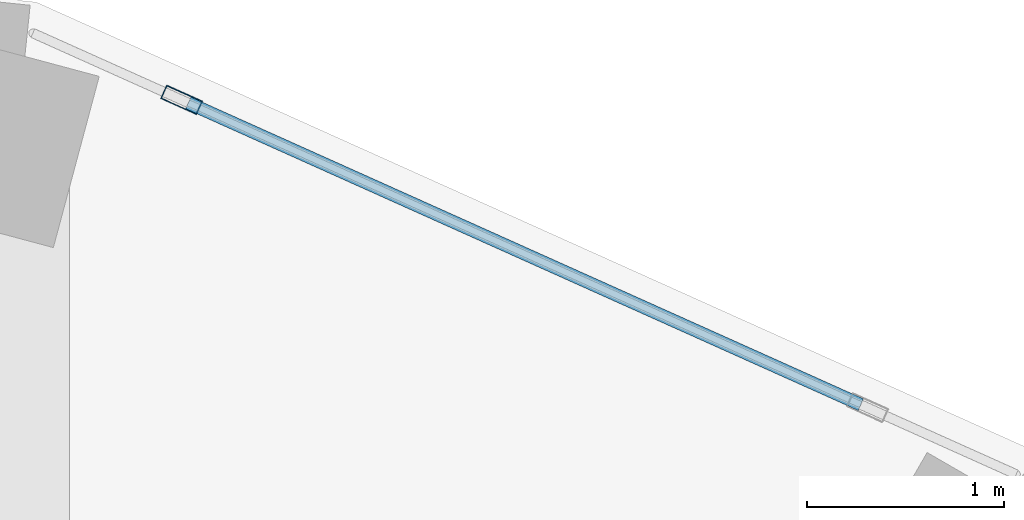
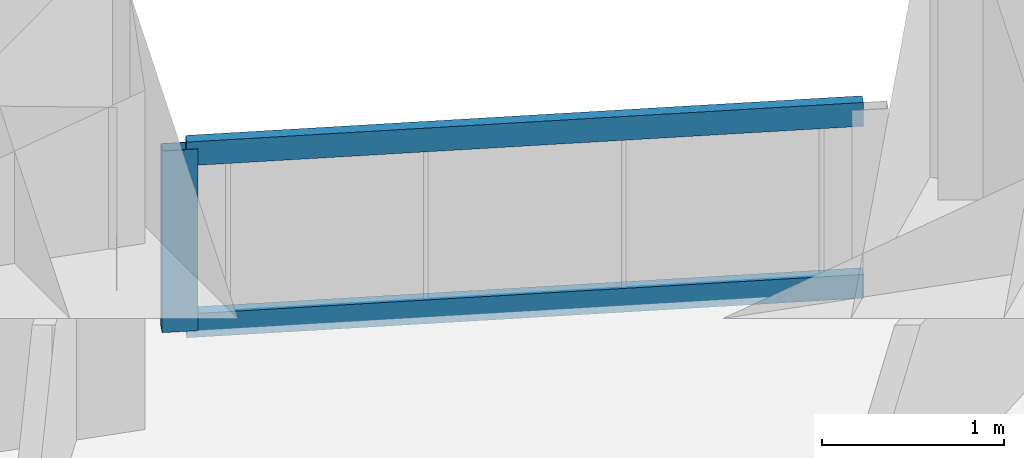
# One storey, part 12 of 20: 3 members, 1 element without a shape of its own.
"""IFC4 building model written with IfcOpenShell, lengths in metres."""

import ifcopenshell
import ifcopenshell.guid

model = None  # the IFC model being written
_history = None  # IfcOwnerHistory: only IFC2X3 demands one
_inside = {}  # id of a spatial element -> (the spatial element, [elements in it])
_under = {}  # id of a project, library or spatial element -> (it, [spatial elements below it])
_declared = {}  # id of a project -> (the project, [libraries it declares])
_typed = {}  # id of a type object -> (the type object, [elements of that type])
_made_of = {}  # id of a material, layer set ... -> (it, [elements and type objects made of it])


def new_model(schema):
    """Start an empty IFC model of exactly this schema.

    Asked for "IFC4X3", IfcOpenShell would pick the latest addendum, in which some entities
    have other attributes; the version numbers below select the first issue.
    IFC2X3 requires an IfcOwnerHistory on every rooted entity: one is made here for all.
    """
    global model, _history
    if schema == "IFC4X3":
        model = ifcopenshell.file(schema_version=(4, 3, 0, 0))
    else:
        model = ifcopenshell.file(schema=schema)
    _inside.clear()
    _under.clear()
    _declared.clear()
    _typed.clear()
    _made_of.clear()
    _history = None
    if model.schema == "IFC2X3":
        org = make("IfcOrganization", Name="unknown")
        user = make(
            "IfcPersonAndOrganization",
            ThePerson=make("IfcPerson", FamilyName="unknown"),
            TheOrganization=org,
        )
        app = make(
            "IfcApplication",
            ApplicationDeveloper=org,
            Version="unknown",
            ApplicationFullName="unknown",
            ApplicationIdentifier="unknown",
        )
        _history = make(
            "IfcOwnerHistory",
            OwningUser=user,
            OwningApplication=app,
            ChangeAction="ADDED",
            CreationDate=0,
        )
    return model


def make(cls, **values):
    """One entity of the class cls with the attributes given. An attribute that is None is left unset."""
    return model.create_entity(
        cls, **{name: value for name, value in values.items() if value is not None}
    )


def rooted(cls, **values):
    """An entity with a GlobalId (a new one), such as an element, a storey or a relation."""
    return make(cls, GlobalId=ifcopenshell.guid.new(), OwnerHistory=_history, **values)


def si_unit(unit_type, name, prefix=None):
    """IfcSIUnit, for example si_unit("LENGTHUNIT", "METRE", prefix="MILLI")."""
    return make("IfcSIUnit", UnitType=unit_type, Prefix=prefix, Name=name)


def assignment(units):
    """IfcUnitAssignment: the units of a project."""
    return None if units is None else make("IfcUnitAssignment", Units=units)


def point(xyz):
    """IfcCartesianPoint."""
    return None if xyz is None else make("IfcCartesianPoint", Coordinates=xyz)


def direction(xyz):
    """IfcDirection."""
    return None if xyz is None else make("IfcDirection", DirectionRatios=xyz)


def frame(location, z_axis=None, x_axis=None):
    """IfcAxis2Placement3D, a coordinate frame: its origin and axes. An axis left out is left unset."""
    return make(
        "IfcAxis2Placement3D",
        Location=point(location),
        Axis=direction(z_axis),
        RefDirection=direction(x_axis),
    )


def frame_2d(location, x_axis=None):
    """IfcAxis2Placement2D, a coordinate frame in the plane: its origin and x axis."""
    return make(
        "IfcAxis2Placement2D", Location=point(location), RefDirection=direction(x_axis)
    )


def origin():
    """The frame at (0, 0, 0) with its axes left unset."""
    return frame((0.0, 0.0, 0.0))


def origin_2d():
    """The frame at (0, 0) in the plane with its x axis left unset."""
    return frame_2d((0.0, 0.0))


def place(relative_to, where):
    """IfcLocalPlacement: puts the frame where relative to a parent placement (None: the world)."""
    return make(
        "IfcLocalPlacement", PlacementRelTo=relative_to, RelativePlacement=where
    )


def context(
    kind, dimensions, precision=None, world=None, true_north=None, identifier=None
):
    """IfcGeometricRepresentationContext, for example the 3D "Model" context."""
    return make(
        "IfcGeometricRepresentationContext",
        ContextIdentifier=identifier,
        ContextType=kind,
        CoordinateSpaceDimension=dimensions,
        Precision=precision,
        WorldCoordinateSystem=world,
        TrueNorth=true_north,
    )


def subcontext(parent, identifier, kind, view, scale=None):
    """IfcGeometricRepresentationSubContext, for example "Body" below "Model"."""
    return make(
        "IfcGeometricRepresentationSubContext",
        ContextIdentifier=identifier,
        ContextType=kind,
        ParentContext=parent,
        TargetScale=scale,
        TargetView=view,
    )


def project(units=None, contexts=None):
    """IfcProject with its units and contexts."""
    return rooted(
        "IfcProject",
        Name="project",
        RepresentationContexts=contexts,
        UnitsInContext=assignment(units),
    )


def spatial(cls, under=None, at=None, **own):
    """A site, building, storey or space (cls), placed at a placement, below another one or the project."""
    s = rooted(cls, ObjectPlacement=at, **own)
    if under is not None:
        _under.setdefault(under.id(), (under, []))[1].append(s)
    return s


def profile(cls, at=None, kind="AREA", **sizes):
    """A parametric profile (cls). Its sizes go by their IFC names, for example OverallWidth=200.0."""
    return make(cls, ProfileType=kind, Position=at, **sizes)


def hollow_rectangle(**sizes):
    """IfcRectangleHollowProfileDef."""
    return profile("IfcRectangleHollowProfileDef", **sizes)


def extrude(swept, where, along, depth):
    """IfcExtrudedAreaSolid: the profile swept, set in the frame where, extruded along a direction by depth."""
    return make(
        "IfcExtrudedAreaSolid",
        SweptArea=swept,
        Position=where,
        ExtrudedDirection=direction(along),
        Depth=depth,
    )


def shape(context_of_items, identifier, shape_type, items):
    """IfcShapeRepresentation: the items that make up one representation, for example the "Body"."""
    return make(
        "IfcShapeRepresentation",
        ContextOfItems=context_of_items,
        RepresentationIdentifier=identifier,
        RepresentationType=shape_type,
        Items=items,
    )


def material(Name=None, Category=None):
    """IfcMaterial."""
    return make("IfcMaterial", Name=Name, Category=Category)


def layer(
    of_material, thickness, ventilated=None, Name=None, Category=None, Priority=None
):
    """IfcMaterialLayer: one layer of a wall or slab, of a material (None: an air gap)."""
    return make(
        "IfcMaterialLayer",
        Material=of_material,
        LayerThickness=thickness,
        IsVentilated=ventilated,
        Name=Name,
        Category=Category,
        Priority=Priority,
    )


def layer_set(layers, Name=None):
    """IfcMaterialLayerSet."""
    return make("IfcMaterialLayerSet", MaterialLayers=layers, LayerSetName=Name)


def material_profile(
    of_material, cross_section, Name=None, Category=None, Priority=None
):
    """IfcMaterialProfile: a cross section and its material."""
    return make(
        "IfcMaterialProfile",
        Name=Name,
        Material=of_material,
        Profile=cross_section,
        Priority=Priority,
        Category=Category,
    )


def profile_set(profiles, Name=None, composite=None):
    """IfcMaterialProfileSet."""
    return make(
        "IfcMaterialProfileSet",
        Name=Name,
        MaterialProfiles=profiles,
        CompositeProfile=composite,
    )


def made_of(thing, what):
    """Note that an element or type object is made of a material, layer set ...; save() writes the relation."""
    if what is not None:
        _made_of.setdefault(what.id(), (what, []))[1].append(thing)
    return thing


def type_object(cls, material=None, **own):
    """A type object (cls), such as IfcWallType, which elements share."""
    return made_of(rooted(cls, **own), material)


def element(
    cls,
    number,
    at=None,
    inside=None,
    cuts=None,
    type_object=None,
    material=None,
    context=None,
    identifier="Body",
    shape_type=None,
    held_by="IfcProductDefinitionShape",
    body=None,
    shapes=None,
    **own,
):
    """One element of the class cls, such as IfcWall. Its Tag is "e" and its number.

    at: its placement. inside: the storey or other place that contains it. cuts: it is an
    opening in that element (IfcRelVoidsElement). A single representation is given by context,
    identifier, shape_type and body (its items); several are given by shapes. held_by: the class
    of the entity that holds the representations. save() writes the other relations.
    """
    e = rooted(cls, Tag="e%d" % number, ObjectPlacement=at, **own)
    if body is not None:
        shapes = [shape(context, identifier, shape_type, body)]
    if shapes is not None:
        e.Representation = make(held_by, Representations=shapes)
    if inside is not None:
        _inside.setdefault(inside.id(), (inside, []))[1].append(e)
    if cuts is not None:
        rooted(
            "IfcRelVoidsElement", RelatingBuildingElement=cuts, RelatedOpeningElement=e
        )
    if type_object is not None:
        _typed.setdefault(type_object.id(), (type_object, []))[1].append(e)
    return made_of(e, material)


def aggregate(whole, parts):
    """IfcRelAggregates: a whole, such as a stair, and the parts it consists of."""
    return rooted("IfcRelAggregates", RelatingObject=whole, RelatedObjects=parts)


def save(model, path):
    """Write the relations noted so far, then the file.

    IfcRelAggregates (storeys below a building ...), IfcRelContainedInSpatialStructure (elements
    in a storey), IfcRelDefinesByType, IfcRelAssociatesMaterial and IfcRelDeclares: one each for
    every whole, place, type object, material and project.
    """
    for whole, parts in _under.values():
        aggregate(whole, parts)
    for where, things in _inside.values():
        rooted(
            "IfcRelContainedInSpatialStructure",
            RelatedElements=things,
            RelatingStructure=where,
        )
    for kind, things in _typed.values():
        rooted("IfcRelDefinesByType", RelatedObjects=things, RelatingType=kind)
    for what, things in _made_of.values():
        rooted("IfcRelAssociatesMaterial", RelatedObjects=things, RelatingMaterial=what)
    for by, libraries in _declared.values():
        rooted("IfcRelDeclares", RelatingContext=by, RelatedDefinitions=libraries)
    model.write(path)


model = new_model("IFC4")

# Units and contexts
model_context = context("Model", 3, precision=1e-05, world=origin(), true_north=direction((0.0, 1.0)))
body_context = subcontext(model_context, "Body", "Model", "MODEL_VIEW")
ifc_project = project(units=[si_unit("LENGTHUNIT", "METRE"), si_unit("AREAUNIT", "SQUARE_METRE"), si_unit("VOLUMEUNIT", "CUBIC_METRE"), si_unit("PLANEANGLEUNIT", "RADIAN"), si_unit("MASSUNIT", "GRAM", prefix="KILO")], contexts=[model_context])

# Site, building, storey
site_placement = place(None, origin())
site = spatial("IfcSite", under=ifc_project, at=site_placement, CompositionType="ELEMENT")
building_placement = place(site_placement, origin())
building = spatial("IfcBuilding", under=site, at=building_placement, Name="Solvane Sanctuary Tower", CompositionType="ELEMENT")
storey_placement = place(building_placement, frame((0.0, 0.0, 159.10009765625)))
storey = spatial("IfcBuildingStorey", under=building, at=storey_placement, Name="L48", CompositionType="ELEMENT", Elevation=159.10009765625)

# Curtain wall, members
ifc_material = material(Name="Anodised Aluminium 6063-T6", Category="aluminium")
ifc_layer = layer(ifc_material, 0.179931640625, Name="Anodised Aluminium 6063-T6")
ifc_layer_set = layer_set([ifc_layer], Name="Anodised Aluminium 6063-T6")
curtain_wall_type = type_object("IfcCurtainWallType", Name="Curtain Wall CW-FRIT-Z2", PredefinedType="NOTDEFINED", material=ifc_layer_set)
curtain_wall_placement = place(storey_placement, origin())
curtain_wall = element("IfcCurtainWall", 1, at=curtain_wall_placement, inside=storey, type_object=curtain_wall_type, Name="L48 CW-FRIT-Z2 Facade Run 04", PredefinedType="NOTDEFINED")
ifc_material_profile_1 = material_profile(ifc_material, hollow_rectangle(XDim=0.074951171875, YDim=0.199951171875, WallThickness=0.00390625, at=origin_2d()), Name="ALU200X75X4")
ifc_profile_set_1 = profile_set([ifc_material_profile_1], Name="Anodised Aluminium 6063-T6")
member_type_1 = type_object("IfcMemberType", Name="Member M-CW-MUL-1 ALU200X75X4", PredefinedType="MULLION", material=ifc_profile_set_1)
member_1_placement = place(storey_placement, frame((40.1474609375, 40.33349609375, 0.0), z_axis=(0.0, 0.0, 1.0), x_axis=(-0.409410643281, -0.912350220676, 0.0)))
member_1 = element("IfcMember", 2, at=member_1_placement, type_object=member_type_1, Name="CW-FRIT-Z2 mullion 2", PredefinedType="MULLION", context=body_context, shape_type="SweptSolid", body=[
    extrude(hollow_rectangle(XDim=0.074951171875, YDim=0.199951171875, WallThickness=0.00390625, at=origin_2d()), origin(), (0.0, 0.0, 1.0), 1.219970703125),
])
ifc_material_profile_2 = material_profile(ifc_material, hollow_rectangle(XDim=0.06494140625, YDim=0.159912109375, WallThickness=0.00341796875, at=origin_2d()), Name="ALU160X65X3.5")
ifc_profile_set_2 = profile_set([ifc_material_profile_2], Name="Anodised Aluminium 6063-T6")
member_type_2 = type_object("IfcMemberType", Name="Member M-CW-TRN-1 ALU160X65X3.5", PredefinedType="USERDEFINED", material=ifc_profile_set_2)
member_2_placement = place(storey_placement, frame((43.5966796875, 38.785888671875, 0.032470703125), z_axis=(-0.912374949437, 0.409355532075, 0.0), x_axis=(-0.409355532075, -0.912374949437, 0.0)))
member_2 = element("IfcMember", 3, at=member_2_placement, type_object=member_type_2, Name="CW-FRIT-Z2 transom 1.1", ObjectType="TRANSOM", PredefinedType="USERDEFINED", context=body_context, shape_type="SweptSolid", body=[
    extrude(hollow_rectangle(XDim=0.06494140625, YDim=0.159912109375, WallThickness=0.00341796875, at=origin_2d()), origin(), (0.0, 0.0, 1.0), 3.742919921875),
])
member_3_placement = place(storey_placement, frame((43.5966796875, 38.785888671875, 1.1875), z_axis=(-0.912374949437, 0.409355532075, 0.0), x_axis=(-0.409355532075, -0.912374949437, 0.0)))
member_3 = element("IfcMember", 4, at=member_3_placement, type_object=member_type_2, Name="CW-FRIT-Z2 transom 1.2", ObjectType="TRANSOM", PredefinedType="USERDEFINED", context=body_context, shape_type="SweptSolid", body=[
    extrude(hollow_rectangle(XDim=0.06494140625, YDim=0.159912109375, WallThickness=0.00341796875, at=origin_2d()), origin(), (0.0, 0.0, 1.0), 3.742919921875),
])
aggregate(curtain_wall, [member_1, member_2, member_3])

save(model, "model.ifc")
